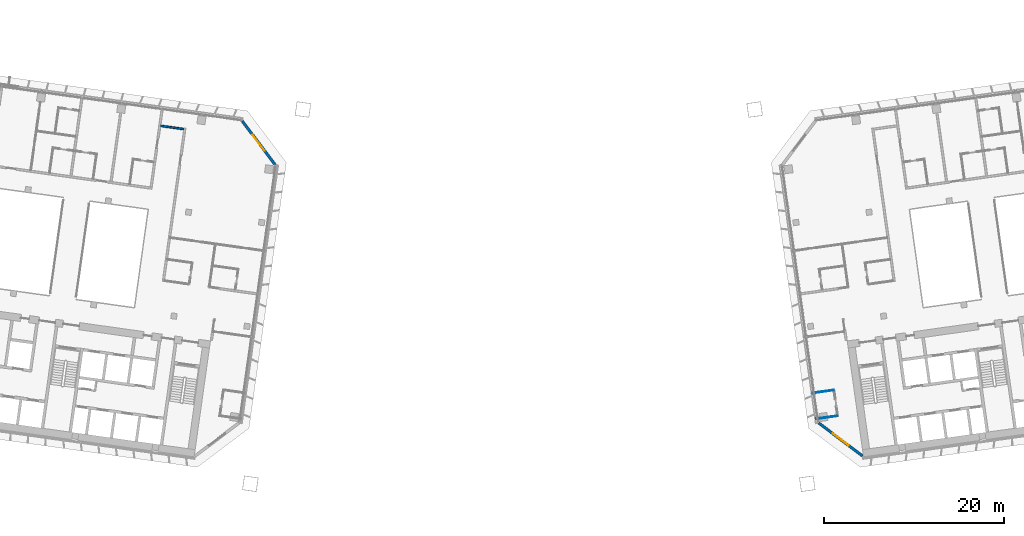
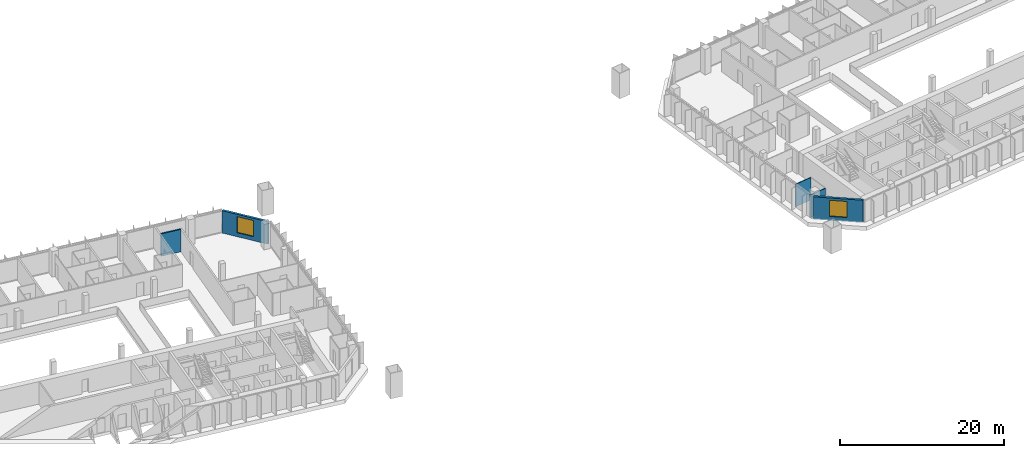
# One storey, part 18 of 26: 5 walls, 2 windows, 2 openings.
"""IFC4 building model written with IfcOpenShell, lengths in metres."""

from ifc_helpers import new_model, si_unit, direction, frame, frame_2d, origin, place, context, subcontext, project, spatial, rectangle, extrude, material, layer, layer_set, type_object, element, fill, save


model = new_model("IFC4")

# Units and contexts
model_context = context("Model", 3, precision=1e-05, world=origin(), true_north=direction((0.0, 1.0)))
body_context = subcontext(model_context, "Body", "Model", "MODEL_VIEW")
ifc_project = project(units=[si_unit("LENGTHUNIT", "METRE"), si_unit("AREAUNIT", "SQUARE_METRE"), si_unit("VOLUMEUNIT", "CUBIC_METRE"), si_unit("PLANEANGLEUNIT", "RADIAN"), si_unit("MASSUNIT", "GRAM", prefix="KILO")], contexts=[model_context])

# Site, building, storey
site_placement = place(None, origin())
site = spatial("IfcSite", under=ifc_project, at=site_placement, CompositionType="ELEMENT")
building_placement = place(site_placement, origin())
building = spatial("IfcBuilding", under=site, at=building_placement, Name="Mirante Cascada Hotel Towers", CompositionType="ELEMENT")
storey_placement = place(building_placement, frame((0.0, 0.0, 140.5)))
storey = spatial("IfcBuildingStorey", under=building, at=storey_placement, Name="L32", CompositionType="ELEMENT", Elevation=140.5)

# Walls
ifc_material_1 = material(Name="Fire-rated plasterboard on metal studs")
ifc_layer_1 = layer(ifc_material_1, 0.2)
ifc_layer_set_1 = layer_set([ifc_layer_1], Name="Compartment wall 200 EI 120")
wall_type_1 = type_object("IfcWallType", Name="Compartment wall 200 EI 120", PredefinedType="PARTITIONING", material=ifc_layer_set_1)
wall_1_placement = place(storey_placement, frame((-40.9036, 16.6995, 0.0), z_axis=(0.0, 0.0, 1.0), x_axis=(0.9902647, -0.1391971, 0.0)))
element("IfcWall", 1, at=wall_1_placement, inside=storey, type_object=wall_type_1, Name="Wall 1-L32-26", PredefinedType="PARTITIONING", context=body_context, shape_type="SweptSolid", body=[
    extrude(rectangle(XDim=2.5999, YDim=0.2, at=frame_2d((1.3, 0.0))), origin(), (0.0, 0.0, 1.0), 3.35),
])
ifc_material_2 = material(Name="Plasterboard on metal studs")
ifc_layer_2 = layer(ifc_material_2, 0.1)
ifc_layer_set_2 = layer_set([ifc_layer_2], Name="Partition 100")
wall_type_2 = type_object("IfcWallType", Name="Partition 100", PredefinedType="PARTITIONING", material=ifc_layer_set_2)
for number, where, z_axis, x_axis, name in (
    (2, (31.9484, -15.8638, 0.0), (0.0, 0.0, 1.0), (0.9902661, 0.139187, 0.0), "Wall 2-L32-01"),
    (3, (33.872, -12.6649, 0.0), (0.0, 0.0, 1.0), (-0.9902661, -0.139187, 0.0), "Wall 2-L32-02"),
):
    element("IfcWall", number, at=place(storey_placement, frame(where, z_axis=z_axis, x_axis=x_axis)), inside=storey, type_object=wall_type_2, Name=name, PredefinedType="PARTITIONING", context=body_context, shape_type="SweptSolid", body=[
        extrude(rectangle(XDim=2.3501, YDim=0.1, at=frame_2d((1.175, 0.0))), origin(), (0.0, 0.0, 1.0), 3.35),
    ])

# Wall, opening, window
ifc_material_3 = material(Name="Precast concrete C40/50", Category="concrete")
ifc_layer_3 = layer(ifc_material_3, 0.3)
ifc_layer_set_3 = layer_set([ifc_layer_3], Name="Precast concrete C40/50 cladding wall 300")
wall_type_3 = type_object("IfcWallType", Name="Precast concrete C40/50 cladding wall 300", PredefinedType="STANDARD", material=ifc_layer_set_3)
wall_2_placement = place(storey_placement, frame((-31.857, 17.252, 0.0), z_axis=(0.0, 0.0, 1.0), x_axis=(0.6018141, -0.7986362, 0.0)))
wall_2 = element("IfcWall", 4, at=wall_2_placement, inside=storey, type_object=wall_type_3, Name="Corner cladding wall T1 L32 front inner", PredefinedType="STANDARD", context=body_context, shape_type="SweptSolid", body=[
    extrude(rectangle(XDim=6.1157, YDim=0.3, at=frame_2d((3.0578, 0.0))), origin(), (0.0, 0.0, 1.0), 3.35),
])
opening_1_placement = place(wall_2_placement, frame((1.9578, 0.0, 0.6)))
opening_1 = element("IfcOpeningElement", 5, at=opening_1_placement, cuts=wall_2, Name="Opening W1-32-05", PredefinedType="OPENING", context=body_context, shape_type="SweptSolid", body=[
    extrude(rectangle(XDim=2.2, YDim=2.4, at=frame_2d((1.1, 1.2))), frame((0.0, 0.15, 0.0), z_axis=(0.0, -1.0, 0.0), x_axis=(1.0, 0.0, 0.0)), (0.0, 0.0, 1.0), 0.3),
])
ifc_material_4 = material(Name="Aluminium frame with clear double glazing", Category="aluminium")
window_type = type_object("IfcWindowType", Name="Corner suite window 2200x2400", PartitioningType="DOUBLE_PANEL_VERTICAL", PredefinedType="WINDOW", material=ifc_material_4)
window_1_placement = place(opening_1_placement, origin())
window_1 = element("IfcWindow", 6, at=window_1_placement, inside=storey, type_object=window_type, Name="Window W1-32-05", OverallHeight=2.4, OverallWidth=2.2, PartitioningType="SINGLE_PANEL", PredefinedType="WINDOW", context=body_context, shape_type="SweptSolid", body=[
    extrude(rectangle(XDim=2.2, YDim=2.4, at=frame_2d((1.1, 1.2))), frame((0.0, 0.03, 0.0), z_axis=(0.0, -1.0, 0.0), x_axis=(1.0, 0.0, 0.0)), (0.0, 0.0, 1.0), 0.06),
])
fill(opening_1, window_1)

wall_3_placement = place(storey_placement, frame((32.2074, -16.3138, 0.0), z_axis=(0.0, 0.0, 1.0), x_axis=(0.7986362, -0.6018141, 0.0)))
wall_3 = element("IfcWall", 7, at=wall_3_placement, inside=storey, type_object=wall_type_3, Name="Corner cladding wall T2 L32 inner rear", PredefinedType="STANDARD", context=body_context, shape_type="SweptSolid", body=[
    extrude(rectangle(XDim=6.1157, YDim=0.3, at=frame_2d((3.0578, 0.0))), origin(), (0.0, 0.0, 1.0), 3.35),
])
opening_2_placement = place(wall_3_placement, frame((1.9578, 0.0, 0.6)))
opening_2 = element("IfcOpeningElement", 8, at=opening_2_placement, cuts=wall_3, Name="Opening W2-32-06", PredefinedType="OPENING", context=body_context, shape_type="SweptSolid", body=[
    extrude(rectangle(XDim=2.2, YDim=2.4, at=frame_2d((1.1, 1.2))), frame((0.0, 0.15, 0.0), z_axis=(0.0, -1.0, 0.0), x_axis=(1.0, 0.0, 0.0)), (0.0, 0.0, 1.0), 0.3),
])
window_2_placement = place(opening_2_placement, origin())
window_2 = element("IfcWindow", 9, at=window_2_placement, inside=storey, type_object=window_type, Name="Window W2-32-06", OverallHeight=2.4, OverallWidth=2.2, PartitioningType="SINGLE_PANEL", PredefinedType="WINDOW", context=body_context, shape_type="SweptSolid", body=[
    extrude(rectangle(XDim=2.2, YDim=2.4, at=frame_2d((1.1, 1.2))), frame((0.0, 0.03, 0.0), z_axis=(0.0, -1.0, 0.0), x_axis=(1.0, 0.0, 0.0)), (0.0, 0.0, 1.0), 0.06),
])
fill(opening_2, window_2)

save(model, "model.ifc")
